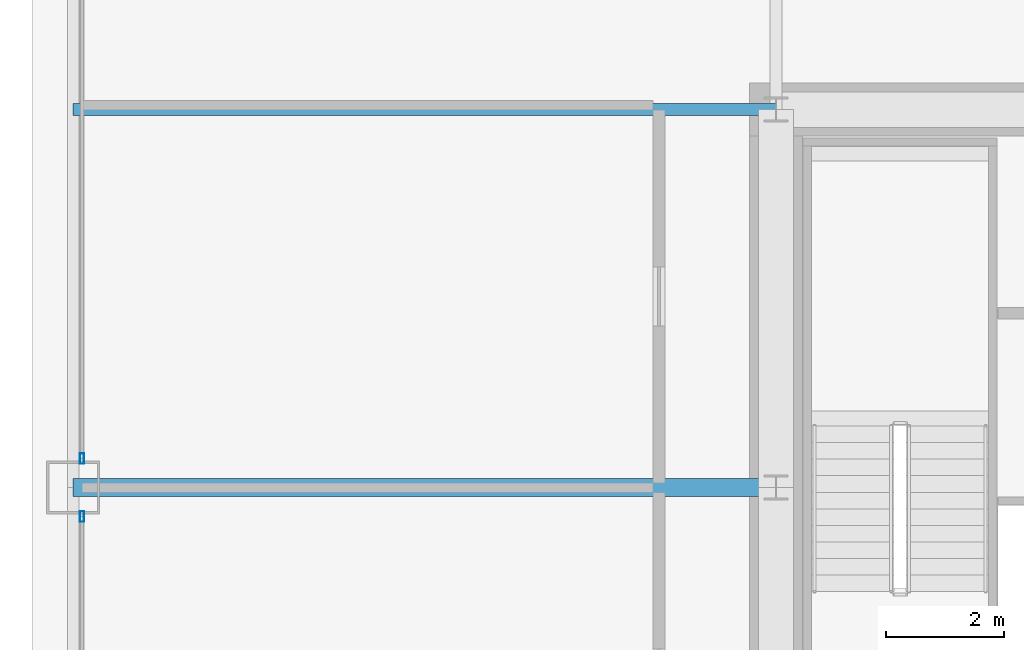
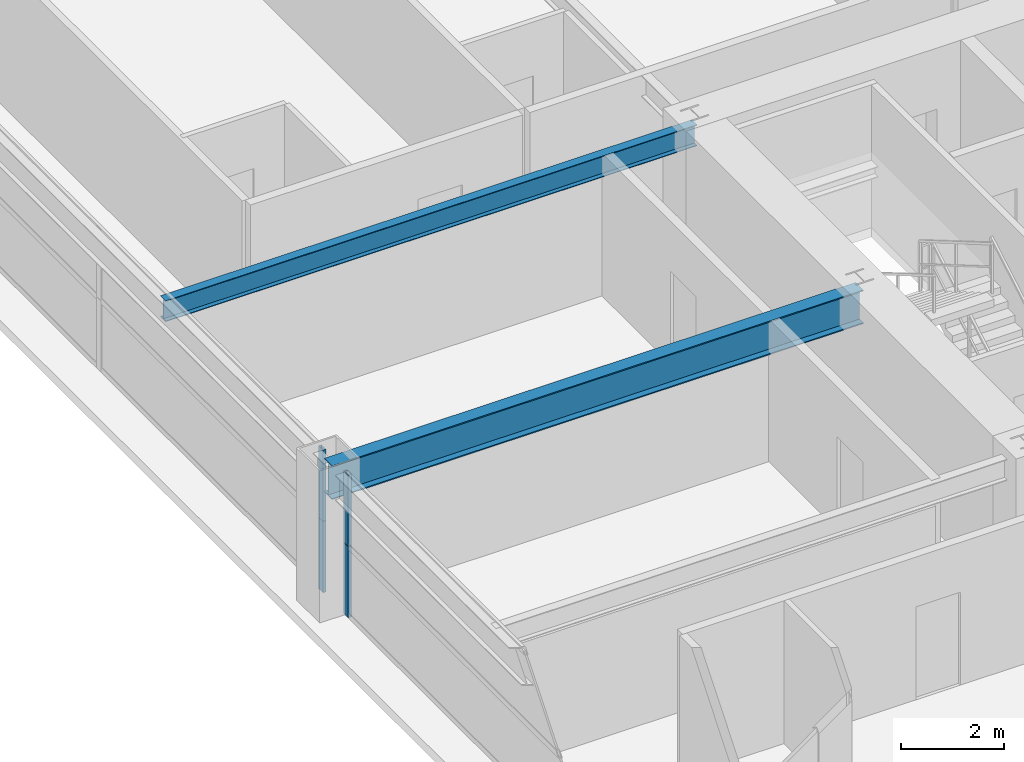
# One storey, part 11 of 43: 4 members, 2 beams, 2 elements without a shape of their own.
"""IFC4 building model written with IfcOpenShell, lengths in metres."""

from ifc_helpers import new_model, si_unit, direction, frame, origin, origin_2d, place, context, subcontext, project, spatial, hollow_rectangle, i_section, extrude, source, transform, mapped, material, layer, layer_set, material_profile, profile_set, type_object, element, aggregate, save


model = new_model("IFC4")

# Units and contexts
model_context = context("Model", 3, precision=1e-05, world=origin(), true_north=direction((0.0, 1.0)))
body_context = subcontext(model_context, "Body", "Model", "MODEL_VIEW")
ifc_project = project(units=[si_unit("LENGTHUNIT", "METRE"), si_unit("AREAUNIT", "SQUARE_METRE"), si_unit("VOLUMEUNIT", "CUBIC_METRE"), si_unit("PLANEANGLEUNIT", "RADIAN"), si_unit("MASSUNIT", "GRAM", prefix="KILO"), si_unit("THERMODYNAMICTEMPERATUREUNIT", "KELVIN"), si_unit("POWERUNIT", "WATT")], contexts=[model_context])

# Site, building, storey
site_placement = place(None, origin())
site = spatial("IfcSite", under=ifc_project, at=site_placement, CompositionType="ELEMENT")
building_placement = place(site_placement, origin())
building = spatial("IfcBuilding", under=site, at=building_placement, Name="Yuzanri Waterfront Tower", CompositionType="ELEMENT")
storey_placement = place(building_placement, frame((0.0, 0.0, 74.800048828125)))
storey = spatial("IfcBuildingStorey", under=building, at=storey_placement, Name="L19", CompositionType="ELEMENT", Elevation=74.800048828125)

# Beams
ifc_material_1 = material(Name="Steel Q355B", Category="steel")
ifc_material_profile_1 = material_profile(ifc_material_1, i_section(OverallWidth=0.300048828125, OverallDepth=0.800048828125, WebThickness=0.013916015625, FlangeThickness=0.02587890625, at=origin_2d()), Name="HN 800x300x14x26")
ifc_profile_set_1 = profile_set([ifc_material_profile_1], Name="Steel Q355B")
beam_type_1 = type_object("IfcBeamType", Name="Primary Floor Girder Q355B HN 800x300", PredefinedType="BEAM", material=ifc_profile_set_1)
shared_shape_1 = source(origin(), body_context, "Body", "SweptSolid", [
    extrude(i_section(OverallWidth=0.300048828125, OverallDepth=0.800048828125, WebThickness=0.013916015625, FlangeThickness=0.02587890625, at=origin_2d()), origin(), (0.0, 0.0, 1.0), 11.900146484375),
])
beam_1_placement = place(storey_placement, frame((23.800048828125, 25.800048828125, 2.97998046875), z_axis=(-1.0, 0.0, 0.0), x_axis=(0.0, -1.0, 0.0)))
element("IfcBeam", 1, at=beam_1_placement, inside=storey, type_object=beam_type_1, Name="L19 West Grid Girder", PredefinedType="BEAM", context=body_context, shape_type="MappedRepresentation", body=[
    mapped(shared_shape_1, transform((0.0, 0.0, 0.0), scale=1.0)),
])
ifc_material_2 = material(Name="Steel Q355B", Category="steel")
ifc_material_profile_2 = material_profile(ifc_material_2, i_section(OverallWidth=0.199951171875, OverallDepth=0.5, WebThickness=0.010009765625, FlangeThickness=0.01611328125, at=origin_2d()), Name="HN 500x200x10x16")
ifc_profile_set_2 = profile_set([ifc_material_profile_2], Name="Steel Q355B")
beam_type_2 = type_object("IfcBeamType", Name="Secondary Floor Beam Q355B HN 500x200", PredefinedType="BEAM", material=ifc_profile_set_2)
shared_shape_2 = source(origin(), body_context, "Body", "SweptSolid", [
    extrude(i_section(OverallWidth=0.199951171875, OverallDepth=0.5, WebThickness=0.010009765625, FlangeThickness=0.01611328125, at=origin_2d()), origin(), (0.0, 0.0, 1.0), 11.900146484375),
])
beam_2_placement = place(storey_placement, frame((23.800048828125, 32.199951171875, 3.1298828125), z_axis=(-1.0, 0.0, 0.0), x_axis=(0.0, -1.0, 0.0)))
element("IfcBeam", 2, at=beam_2_placement, inside=storey, type_object=beam_type_2, Name="L19 West-North Core Line Beam", PredefinedType="BEAM", context=body_context, shape_type="MappedRepresentation", body=[
    mapped(shared_shape_2, transform((0.0, 0.0, 0.0), scale=1.0)),
])

# Curtain wall, members
ifc_material_3 = material(Name="Anodized Architectural Bronze", Category="metal")
ifc_layer = layer(ifc_material_3, 0.159912109375)
ifc_layer_set = layer_set([ifc_layer], Name="Anodized Architectural Bronze")
curtain_wall_type = type_object("IfcCurtainWallType", Name="Anodized Bronze Hotel Lower-Tier Recessed Unitized Curtain Wall 8100", PredefinedType="NOTDEFINED", material=ifc_layer_set)
curtain_wall_1_placement = place(storey_placement, origin())
curtain_wall_1 = element("IfcCurtainWall", 3, at=curtain_wall_1_placement, inside=storey, type_object=curtain_wall_type, Name="L19 Curtain Wall CW-L19-WL", PredefinedType="NOTDEFINED")
ifc_material_4 = material(Name="Anodized Architectural Bronze", Category="metal")
ifc_material_profile_3 = material_profile(ifc_material_4, hollow_rectangle(XDim=0.070068359375, YDim=0.179931640625, WallThickness=0.00390625, at=origin_2d()), Name="CWM 70x180")
ifc_profile_set_3 = profile_set([ifc_material_profile_3], Name="Anodized Architectural Bronze")
member_type = type_object("IfcMemberType", Name="Anodized Bronze Standard Curtain-Wall Mullion 70x180", PredefinedType="MULLION", material=ifc_profile_set_3)
shared_shape_3 = source(origin(), body_context, "Body", "SweptSolid", [
    extrude(hollow_rectangle(XDim=0.070068359375, YDim=0.179931640625, WallThickness=0.00390625, at=origin_2d()), origin(), (0.0, 0.0, 1.0), 1.68798828125),
])
member_1_placement = place(storey_placement, frame((12.050048828125, 25.31005859375, 0.0), z_axis=(0.0, 0.0, 1.0), x_axis=(1.0, 0.0, 0.0)))
member_1 = element("IfcMember", 4, at=member_1_placement, type_object=member_type, Name="CW-L19-WL Lower Mullion 02", PredefinedType="MULLION", context=body_context, shape_type="MappedRepresentation", body=[
    mapped(shared_shape_3, transform((0.0, 0.0, 0.0), scale=1.0)),
])
member_2_placement = place(storey_placement, frame((12.050048828125, 25.31005859375, 1.69189453125), z_axis=(0.0, 0.0, 1.0), x_axis=(1.0, 0.0, 0.0)))
member_2 = element("IfcMember", 5, at=member_2_placement, type_object=member_type, Name="CW-L19-WL Upper Mullion 02", PredefinedType="MULLION", context=body_context, shape_type="MappedRepresentation", body=[
    mapped(shared_shape_3, transform((0.0, 0.0, 0.0), scale=1.0)),
])
aggregate(curtain_wall_1, [member_1, member_2])

curtain_wall_2_placement = place(storey_placement, origin())
curtain_wall_2 = element("IfcCurtainWall", 6, at=curtain_wall_2_placement, inside=storey, type_object=curtain_wall_type, Name="L19 Curtain Wall CW-L19-WR", PredefinedType="NOTDEFINED")
member_3_placement = place(storey_placement, frame((12.050048828125, 26.2900390625, 0.0), z_axis=(0.0, 0.0, 1.0), x_axis=(1.0, 0.0, 0.0)))
member_3 = element("IfcMember", 7, at=member_3_placement, type_object=member_type, Name="CW-L19-WR Lower Mullion 00", PredefinedType="MULLION", context=body_context, shape_type="MappedRepresentation", body=[
    mapped(shared_shape_3, transform((0.0, 0.0, 0.0), scale=1.0)),
])
member_4_placement = place(storey_placement, frame((12.050048828125, 26.2900390625, 1.69189453125), z_axis=(0.0, 0.0, 1.0), x_axis=(1.0, 0.0, 0.0)))
member_4 = element("IfcMember", 8, at=member_4_placement, type_object=member_type, Name="CW-L19-WR Upper Mullion 00", PredefinedType="MULLION", context=body_context, shape_type="MappedRepresentation", body=[
    mapped(shared_shape_3, transform((0.0, 0.0, 0.0), scale=1.0)),
])
aggregate(curtain_wall_2, [member_3, member_4])

save(model, "model.ifc")
